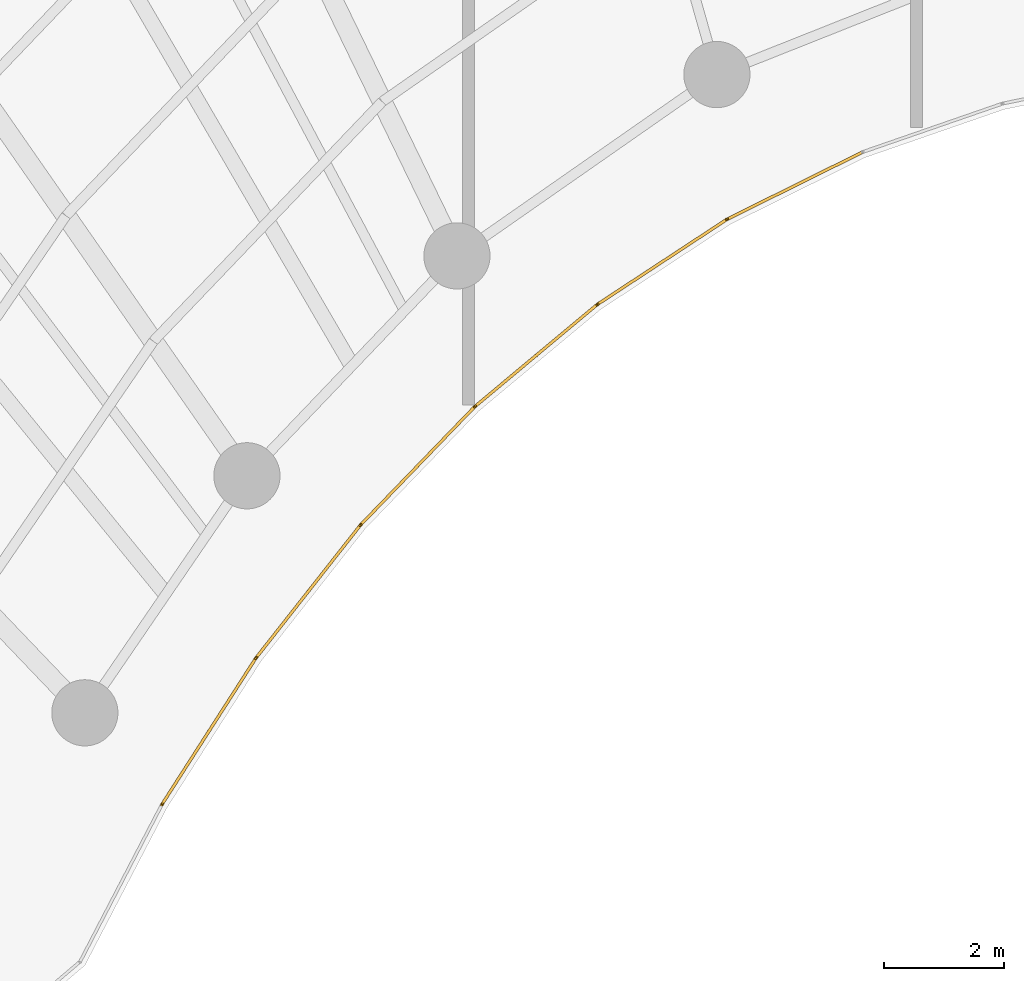
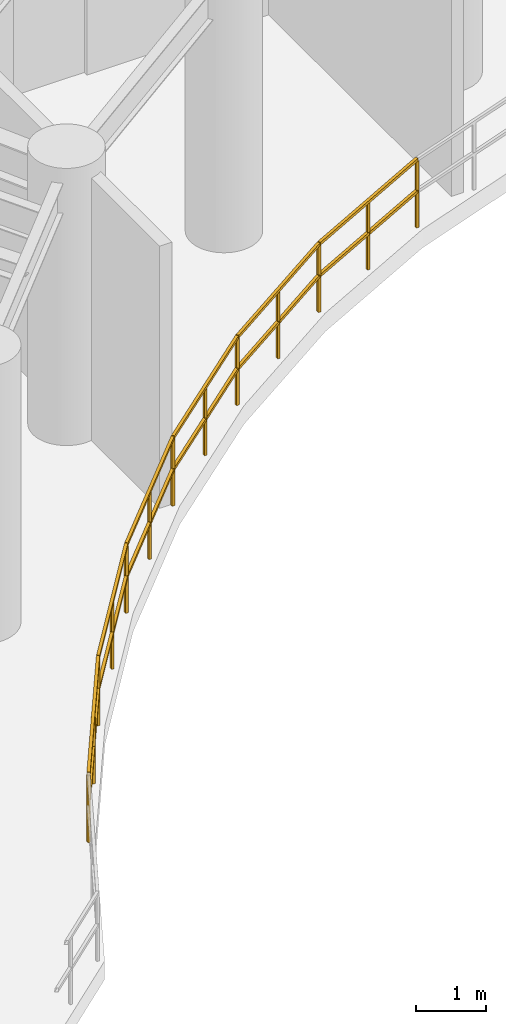
# One storey, part 11 of 19: 12 railings.
"""IFC4 building model written with IfcOpenShell, lengths in metres."""

from ifc_helpers import new_model, si_unit, direction, frame, origin, origin_2d, place, context, subcontext, project, spatial, rectangle, extrude, material, type_object, element, save


model = new_model("IFC4")

# Units and contexts
model_context = context("Model", 3, precision=1e-05, world=origin(), true_north=direction((0.0, 1.0)))
body_context = subcontext(model_context, "Body", "Model", "MODEL_VIEW")
ifc_project = project(units=[si_unit("LENGTHUNIT", "METRE"), si_unit("AREAUNIT", "SQUARE_METRE"), si_unit("VOLUMEUNIT", "CUBIC_METRE"), si_unit("PLANEANGLEUNIT", "RADIAN"), si_unit("MASSUNIT", "GRAM", prefix="KILO")], contexts=[model_context])

# Site, building, storey
site_placement = place(None, origin())
site = spatial("IfcSite", under=ifc_project, at=site_placement, CompositionType="ELEMENT")
building_placement = place(site_placement, origin())
building = spatial("IfcBuilding", under=site, at=building_placement, Name="Breltana Convention Tower", CompositionType="ELEMENT")
storey_placement = place(building_placement, frame((0.0, 0.0, 194.39990234375)))
storey = spatial("IfcBuildingStorey", under=building, at=storey_placement, Name="L47", CompositionType="ELEMENT", Elevation=194.39990234375)

# Railings
ifc_material = material(Name="Stainless Steel 316L", Category="steel")
railing_type = type_object("IfcRailingType", Name="RL-WIND-GUARD-1200", PredefinedType="BALUSTRADE", material=ifc_material)
railing_1_placement = place(storey_placement, frame((40.898193359375, 52.2666015625, 0.0)))
element("IfcRailing", 1, at=railing_1_placement, inside=storey, type_object=railing_type, Name="L47 perimeter balustrade 32", PredefinedType="BALUSTRADE", context=body_context, shape_type="SweptSolid", body=[
    extrude(rectangle(XDim=0.048095703125, YDim=0.048095703125, at=origin_2d()), frame((0.0, 0.0, 1.17578125), z_axis=(-0.895926249068, -0.444202832308, 0.0), x_axis=(0.444202832308, -0.895926249068, 0.0)), (0.0, 0.0, 1.0), 2.499755859375),
    extrude(rectangle(XDim=0.048095703125, YDim=0.048095703125, at=origin_2d()), frame((0.0, 0.0, 0.6240234375), z_axis=(-0.895926249068, -0.444202832308, 0.0), x_axis=(0.444202832308, -0.895926249068, 0.0)), (0.0, 0.0, 1.0), 2.499755859375),
    extrude(rectangle(XDim=0.0419921875, YDim=0.0419921875, at=origin_2d()), origin(), (0.0, 0.0, 1.0), 1.15185546875),
    extrude(rectangle(XDim=0.0419921875, YDim=0.0419921875, at=origin_2d()), frame((-1.11962890625, -0.55517578125, 0.0)), (0.0, 0.0, 1.0), 1.15185546875),
    extrude(rectangle(XDim=0.0419921875, YDim=0.0419921875, at=origin_2d()), frame((-2.239501953125, -1.1103515625, 0.0)), (0.0, 0.0, 1.0), 1.15185546875),
])
railing_2_placement = place(storey_placement, frame((38.65869140625, 51.15625, 0.0)))
element("IfcRailing", 2, at=railing_2_placement, inside=storey, type_object=railing_type, Name="L47 perimeter balustrade 33", PredefinedType="BALUSTRADE", context=body_context, shape_type="SweptSolid", body=[
    extrude(rectangle(XDim=0.048095703125, YDim=0.048095703125, at=origin_2d()), frame((0.0, 0.0, 1.17578125), z_axis=(-0.873197702015, -0.487366159264, 0.0), x_axis=(0.487366159264, -0.873197702015, 0.0)), (0.0, 0.0, 1.0), 0.011962890625),
    extrude(rectangle(XDim=0.048095703125, YDim=0.048095703125, at=origin_2d()), frame((0.0, 0.0, 0.6240234375), z_axis=(-0.873197702015, -0.487366159264, 0.0), x_axis=(0.487366159264, -0.873197702015, 0.0)), (0.0, 0.0, 1.0), 0.011962890625),
    extrude(rectangle(XDim=0.0419921875, YDim=0.0419921875, at=origin_2d()), origin(), (0.0, 0.0, 1.0), 1.15185546875),
    extrude(rectangle(XDim=0.0419921875, YDim=0.0419921875, at=origin_2d()), frame((-0.010498046875, -0.005859375, 0.0)), (0.0, 0.0, 1.0), 1.15185546875),
])
railing_3_placement = place(storey_placement, frame((38.648193359375, 51.150390625, 0.0)))
element("IfcRailing", 3, at=railing_3_placement, inside=storey, type_object=railing_type, Name="L47 perimeter balustrade 34", PredefinedType="BALUSTRADE", context=body_context, shape_type="SweptSolid", body=[
    extrude(rectangle(XDim=0.048095703125, YDim=0.048095703125, at=origin_2d()), frame((0.0, 0.0, 1.17578125), z_axis=(-0.835982422009, -0.548756221005, 0.0), x_axis=(0.548756221005, -0.835982422009, 0.0)), (0.0, 0.0, 1.0), 2.565185546875),
    extrude(rectangle(XDim=0.048095703125, YDim=0.048095703125, at=origin_2d()), frame((0.0, 0.0, 0.6240234375), z_axis=(-0.835982422009, -0.548756221005, 0.0), x_axis=(0.548756221005, -0.835982422009, 0.0)), (0.0, 0.0, 1.0), 2.565185546875),
    extrude(rectangle(XDim=0.0419921875, YDim=0.0419921875, at=origin_2d()), origin(), (0.0, 0.0, 1.0), 1.15185546875),
    extrude(rectangle(XDim=0.0419921875, YDim=0.0419921875, at=origin_2d()), frame((-1.072265625, -0.703857421875, 0.0)), (0.0, 0.0, 1.0), 1.15185546875),
    extrude(rectangle(XDim=0.0419921875, YDim=0.0419921875, at=origin_2d()), frame((-2.14453125, -1.40771484375, 0.0)), (0.0, 0.0, 1.0), 1.15185546875),
])
railing_4_placement = place(storey_placement, frame((36.503662109375, 49.74267578125, 0.0)))
element("IfcRailing", 4, at=railing_4_placement, inside=storey, type_object=railing_type, Name="L47 perimeter balustrade 35", PredefinedType="BALUSTRADE", context=body_context, shape_type="SweptSolid", body=[
    extrude(rectangle(XDim=0.048095703125, YDim=0.048095703125, at=origin_2d()), frame((0.0, 0.0, 1.17578125), z_axis=(-0.805055837353, -0.59319903805, 0.0), x_axis=(0.59319903805, -0.805055837353, 0.0)), (0.0, 0.0, 1.0), 0.011474609375),
    extrude(rectangle(XDim=0.048095703125, YDim=0.048095703125, at=origin_2d()), frame((0.0, 0.0, 0.6240234375), z_axis=(-0.805055837353, -0.59319903805, 0.0), x_axis=(0.59319903805, -0.805055837353, 0.0)), (0.0, 0.0, 1.0), 0.011474609375),
    extrude(rectangle(XDim=0.0419921875, YDim=0.0419921875, at=origin_2d()), origin(), (0.0, 0.0, 1.0), 1.15185546875),
    extrude(rectangle(XDim=0.0419921875, YDim=0.0419921875, at=origin_2d()), frame((-0.00927734375, -0.0068359375, 0.0)), (0.0, 0.0, 1.0), 1.15185546875),
])
railing_5_placement = place(storey_placement, frame((36.494384765625, 49.73583984375, 0.0)))
element("IfcRailing", 5, at=railing_5_placement, inside=storey, type_object=railing_type, Name="L47 perimeter balustrade 36", PredefinedType="BALUSTRADE", context=body_context, shape_type="SweptSolid", body=[
    extrude(rectangle(XDim=0.048095703125, YDim=0.048095703125, at=origin_2d()), frame((0.0, 0.0, 1.17578125), z_axis=(-0.76794831999, -0.640511809278, 0.0), x_axis=(0.640511809278, -0.76794831999, 0.0)), (0.0, 0.0, 1.0), 2.639892578125),
    extrude(rectangle(XDim=0.048095703125, YDim=0.048095703125, at=origin_2d()), frame((0.0, 0.0, 0.6240234375), z_axis=(-0.76794831999, -0.640511809278, 0.0), x_axis=(0.640511809278, -0.76794831999, 0.0)), (0.0, 0.0, 1.0), 2.639892578125),
    extrude(rectangle(XDim=0.0419921875, YDim=0.0419921875, at=origin_2d()), origin(), (0.0, 0.0, 1.0), 1.15185546875),
    extrude(rectangle(XDim=0.0419921875, YDim=0.0419921875, at=origin_2d()), frame((-1.013671875, -0.845458984375, 0.0)), (0.0, 0.0, 1.0), 1.15185546875),
    extrude(rectangle(XDim=0.0419921875, YDim=0.0419921875, at=origin_2d()), frame((-2.02734375, -1.69091796875, 0.0)), (0.0, 0.0, 1.0), 1.15185546875),
])
railing_6_placement = place(storey_placement, frame((34.467041015625, 48.044921875, 0.0)))
element("IfcRailing", 6, at=railing_6_placement, inside=storey, type_object=railing_type, Name="L47 perimeter balustrade 37", PredefinedType="BALUSTRADE", context=body_context, shape_type="SweptSolid", body=[
    extrude(rectangle(XDim=0.048095703125, YDim=0.048095703125, at=origin_2d()), frame((0.0, 0.0, 1.17578125), z_axis=(-0.72953720414, -0.683941128881, 0.0), x_axis=(0.683941128881, -0.72953720414, 0.0)), (0.0, 0.0, 1.0), 0.0107421875),
    extrude(rectangle(XDim=0.048095703125, YDim=0.048095703125, at=origin_2d()), frame((0.0, 0.0, 0.6240234375), z_axis=(-0.72953720414, -0.683941128881, 0.0), x_axis=(0.683941128881, -0.72953720414, 0.0)), (0.0, 0.0, 1.0), 0.0107421875),
    extrude(rectangle(XDim=0.0419921875, YDim=0.0419921875, at=origin_2d()), origin(), (0.0, 0.0, 1.0), 1.15185546875),
    extrude(rectangle(XDim=0.0419921875, YDim=0.0419921875, at=origin_2d()), frame((-0.0078125, -0.00732421875, 0.0)), (0.0, 0.0, 1.0), 1.15185546875),
])
railing_7_placement = place(storey_placement, frame((34.459228515625, 48.03759765625, 0.0)))
element("IfcRailing", 7, at=railing_7_placement, inside=storey, type_object=railing_type, Name="L47 perimeter balustrade 38", PredefinedType="BALUSTRADE", context=body_context, shape_type="SweptSolid", body=[
    extrude(rectangle(XDim=0.048095703125, YDim=0.048095703125, at=origin_2d()), frame((0.0, 0.0, 1.17578125), z_axis=(-0.694612133042, -0.719384448421, 0.0), x_axis=(0.719384448421, -0.694612133042, 0.0)), (0.0, 0.0, 1.0), 2.719970703125),
    extrude(rectangle(XDim=0.048095703125, YDim=0.048095703125, at=origin_2d()), frame((0.0, 0.0, 0.6240234375), z_axis=(-0.694612133042, -0.719384448421, 0.0), x_axis=(0.719384448421, -0.694612133042, 0.0)), (0.0, 0.0, 1.0), 2.719970703125),
    extrude(rectangle(XDim=0.0419921875, YDim=0.0419921875, at=origin_2d()), origin(), (0.0, 0.0, 1.0), 1.15185546875),
    extrude(rectangle(XDim=0.0419921875, YDim=0.0419921875, at=origin_2d()), frame((-0.94482421875, -0.978515625, 0.0)), (0.0, 0.0, 1.0), 1.15185546875),
    extrude(rectangle(XDim=0.0419921875, YDim=0.0419921875, at=origin_2d()), frame((-1.889404296875, -1.956787109375, 0.0)), (0.0, 0.0, 1.0), 1.15185546875),
])
railing_8_placement = place(storey_placement, frame((32.56982421875, 46.080810546875, 0.0)))
element("IfcRailing", 8, at=railing_8_placement, inside=storey, type_object=railing_type, Name="L47 perimeter balustrade 39", PredefinedType="BALUSTRADE", context=body_context, shape_type="SweptSolid", body=[
    extrude(rectangle(XDim=0.048095703125, YDim=0.048095703125, at=origin_2d()), frame((0.0, 0.0, 1.17578125), z_axis=(-0.658504607869, -0.752576694707, 0.0), x_axis=(0.752576694707, -0.658504607869, 0.0)), (0.0, 0.0, 1.0), 0.010498046875),
    extrude(rectangle(XDim=0.048095703125, YDim=0.048095703125, at=origin_2d()), frame((0.0, 0.0, 0.6240234375), z_axis=(-0.658504607869, -0.752576694707, 0.0), x_axis=(0.752576694707, -0.658504607869, 0.0)), (0.0, 0.0, 1.0), 0.010498046875),
    extrude(rectangle(XDim=0.0419921875, YDim=0.0419921875, at=origin_2d()), origin(), (0.0, 0.0, 1.0), 1.15185546875),
    extrude(rectangle(XDim=0.0419921875, YDim=0.0419921875, at=origin_2d()), frame((-0.0068359375, -0.0078125, 0.0)), (0.0, 0.0, 1.0), 1.15185546875),
])
railing_9_placement = place(storey_placement, frame((32.56298828125, 46.072998046875, 0.0)))
element("IfcRailing", 9, at=railing_9_placement, inside=storey, type_object=railing_type, Name="L47 perimeter balustrade 40", PredefinedType="BALUSTRADE", context=body_context, shape_type="SweptSolid", body=[
    extrude(rectangle(XDim=0.048095703125, YDim=0.048095703125, at=origin_2d()), frame((0.0, 0.0, 1.17578125), z_axis=(-0.618160104834, -0.786052215054, 0.0), x_axis=(0.786052215054, -0.618160104834, 0.0)), (0.0, 0.0, 1.0), 2.80224609375),
    extrude(rectangle(XDim=0.048095703125, YDim=0.048095703125, at=origin_2d()), frame((0.0, 0.0, 0.6240234375), z_axis=(-0.618160104834, -0.786052215054, 0.0), x_axis=(0.786052215054, -0.618160104834, 0.0)), (0.0, 0.0, 1.0), 2.80224609375),
    extrude(rectangle(XDim=0.0419921875, YDim=0.0419921875, at=origin_2d()), origin(), (0.0, 0.0, 1.0), 1.15185546875),
    extrude(rectangle(XDim=0.0419921875, YDim=0.0419921875, at=origin_2d()), frame((-0.8662109375, -1.101318359375, 0.0)), (0.0, 0.0, 1.0), 1.15185546875),
    extrude(rectangle(XDim=0.0419921875, YDim=0.0419921875, at=origin_2d()), frame((-1.732177734375, -2.20263671875, 0.0)), (0.0, 0.0, 1.0), 1.15185546875),
])
railing_10_placement = place(storey_placement, frame((30.830810546875, 43.870361328125, 0.0)))
element("IfcRailing", 10, at=railing_10_placement, inside=storey, type_object=railing_type, Name="L47 perimeter balustrade 41", PredefinedType="BALUSTRADE", context=body_context, shape_type="SweptSolid", body=[
    extrude(rectangle(XDim=0.048095703125, YDim=0.048095703125, at=origin_2d()), frame((0.0, 0.0, 1.17578125), z_axis=(-0.583636048153, -0.812015371343, 0.0), x_axis=(0.812015371343, -0.583636048153, 0.0)), (0.0, 0.0, 1.0), 0.009521484375),
    extrude(rectangle(XDim=0.048095703125, YDim=0.048095703125, at=origin_2d()), frame((0.0, 0.0, 0.6240234375), z_axis=(-0.583636048153, -0.812015371343, 0.0), x_axis=(0.812015371343, -0.583636048153, 0.0)), (0.0, 0.0, 1.0), 0.009521484375),
    extrude(rectangle(XDim=0.0419921875, YDim=0.0419921875, at=origin_2d()), origin(), (0.0, 0.0, 1.0), 1.15185546875),
    extrude(rectangle(XDim=0.0419921875, YDim=0.0419921875, at=origin_2d()), frame((-0.005615234375, -0.0078125, 0.0)), (0.0, 0.0, 1.0), 1.15185546875),
])
railing_11_placement = place(storey_placement, frame((30.8251953125, 43.862548828125, 0.0)))
element("IfcRailing", 11, at=railing_11_placement, inside=storey, type_object=railing_type, Name="L47 perimeter balustrade 42", PredefinedType="BALUSTRADE", context=body_context, shape_type="SweptSolid", body=[
    extrude(rectangle(XDim=0.048095703125, YDim=0.048095703125, at=origin_2d()), frame((0.0, 0.0, 1.17578125), z_axis=(-0.540153919995, -0.841566243806, 0.0), x_axis=(0.841566243806, -0.540153919995, 0.0)), (0.0, 0.0, 1.0), 2.8828125),
    extrude(rectangle(XDim=0.048095703125, YDim=0.048095703125, at=origin_2d()), frame((0.0, 0.0, 0.6240234375), z_axis=(-0.540153919995, -0.841566243806, 0.0), x_axis=(0.841566243806, -0.540153919995, 0.0)), (0.0, 0.0, 1.0), 2.8828125),
    extrude(rectangle(XDim=0.0419921875, YDim=0.0419921875, at=origin_2d()), origin(), (0.0, 0.0, 1.0), 1.15185546875),
    extrude(rectangle(XDim=0.0419921875, YDim=0.0419921875, at=origin_2d()), frame((-0.778564453125, -1.212890625, 0.0)), (0.0, 0.0, 1.0), 1.15185546875),
    extrude(rectangle(XDim=0.0419921875, YDim=0.0419921875, at=origin_2d()), frame((-1.55712890625, -2.426025390625, 0.0)), (0.0, 0.0, 1.0), 1.15185546875),
])
railing_12_placement = place(storey_placement, frame((29.26806640625, 41.4365234375, 0.0)))
element("IfcRailing", 12, at=railing_12_placement, inside=storey, type_object=railing_type, Name="L47 perimeter balustrade 43", PredefinedType="BALUSTRADE", context=body_context, shape_type="SweptSolid", body=[
    extrude(rectangle(XDim=0.048095703125, YDim=0.048095703125, at=origin_2d()), frame((0.0, 0.0, 1.17578125), z_axis=(-0.490261239633, -0.871575537125, 0.0), x_axis=(0.871575537125, -0.490261239633, 0.0)), (0.0, 0.0, 1.0), 0.009033203125),
    extrude(rectangle(XDim=0.048095703125, YDim=0.048095703125, at=origin_2d()), frame((0.0, 0.0, 0.6240234375), z_axis=(-0.490261239633, -0.871575537125, 0.0), x_axis=(0.871575537125, -0.490261239633, 0.0)), (0.0, 0.0, 1.0), 0.009033203125),
    extrude(rectangle(XDim=0.0419921875, YDim=0.0419921875, at=origin_2d()), origin(), (0.0, 0.0, 1.0), 1.15185546875),
    extrude(rectangle(XDim=0.0419921875, YDim=0.0419921875, at=origin_2d()), frame((-0.00439453125, -0.0078125, 0.0)), (0.0, 0.0, 1.0), 1.15185546875),
])

save(model, "model.ifc")
